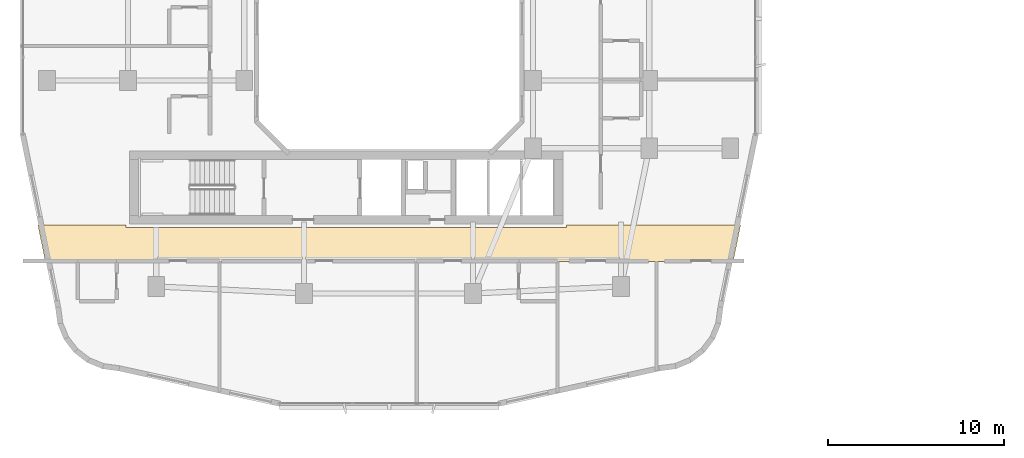
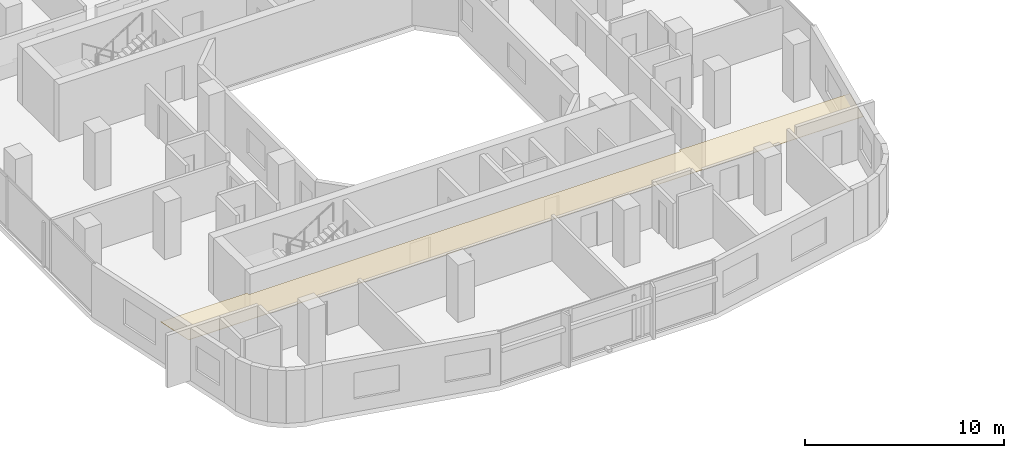
# One storey, part 24 of 27: 1 covering.
"""IFC4 building model written with IfcOpenShell, lengths in metres."""

from ifc_helpers import new_model, si_unit, derived_unit, direction, frame, origin, place, context, subcontext, project, spatial, polyline, outline, extrude, material, layer, layer_set, type_object, element, save


model = new_model("IFC4")

# Units and contexts
model_context = context("Model", 3, precision=1e-05, world=origin(), true_north=direction((0.0, 1.0)))
body_context = subcontext(model_context, "Body", "Model", "MODEL_VIEW")
ifc_project = project(units=[si_unit("LENGTHUNIT", "METRE"), si_unit("AREAUNIT", "SQUARE_METRE"), si_unit("VOLUMEUNIT", "CUBIC_METRE"), si_unit("PLANEANGLEUNIT", "RADIAN"), si_unit("MASSUNIT", "GRAM", prefix="KILO"), derived_unit("THERMALTRANSMITTANCEUNIT", [(si_unit("POWERUNIT", "WATT"), 1), (si_unit("LENGTHUNIT", "METRE"), -2), (si_unit("THERMODYNAMICTEMPERATUREUNIT", "KELVIN"), -1)])], contexts=[model_context])

# Site, building, storey
site_placement = place(None, origin())
site = spatial("IfcSite", under=ifc_project, at=site_placement, CompositionType="ELEMENT")
building_placement = place(site_placement, origin())
building = spatial("IfcBuilding", under=site, at=building_placement, Name="Kivonza Crest Hotel", CompositionType="ELEMENT")
storey_placement = place(building_placement, frame((0.0, 0.0, 76.5)))
storey = spatial("IfcBuildingStorey", under=building, at=storey_placement, Name="L20", CompositionType="ELEMENT", Elevation=76.5)

# Covering
ifc_material = material(Name="Mineral-fibre acoustic ceiling tile", Category="gypsum")
ifc_layer = layer(ifc_material, 0.02490234375)
ifc_layer_set = layer_set([ifc_layer], Name="Mineral-fibre acoustic ceiling tile")
covering_type = type_object("IfcCoveringType", Name="CV-CEIL-ACOU", PredefinedType="CEILING", material=ifc_layer_set)
covering_placement = place(storey_placement, frame((0.0, 0.0, 2.449951171875)))
element("IfcCovering", 1, at=covering_placement, inside=storey, type_object=covering_type, Name="L20 Hotel South Guest Corridor suspended ceiling", PredefinedType="CEILING", context=body_context, shape_type="SweptSolid", body=[
    extrude(outline(polyline([(40.573974609375, 11.2099609375), (40.998046875, 13.2900390625), (31.10009765625, 13.2900390625), (31.10009765625, 13.139892578125), (6.10009765625, 13.139892578125), (6.10009765625, 13.2900390625), (1.08203125, 13.2900390625), (1.506103515625, 11.2099609375), (40.573974609375, 11.2099609375)])), origin(), (0.0, 0.0, 1.0), 0.025146484375),
])

save(model, "model.ifc")
